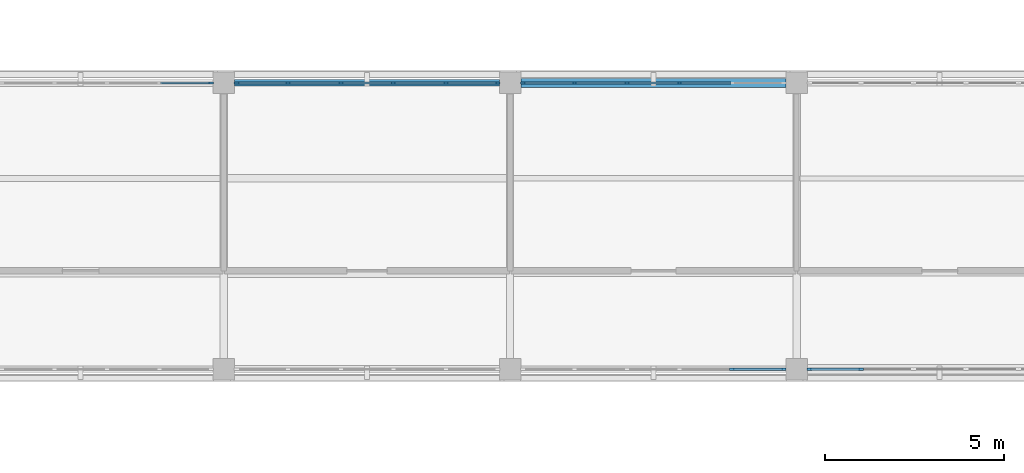
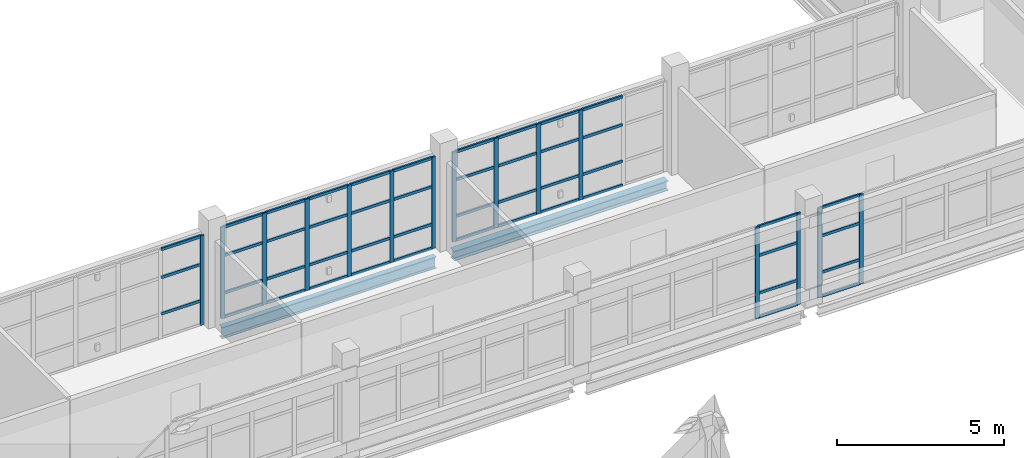
# One storey, part 20 of 126: 62 members, 2 beams, 5 elements without a shape of their own.
"""IFC4 building model written with IfcOpenShell, lengths in metres."""

from ifc_helpers import new_model, si_unit, derived_unit, direction, frame, origin, origin_2d, place, context, subcontext, project, spatial, rectangle, i_section, extrude, material, layer, layer_set, material_profile, profile_set, type_object, element, aggregate, save


model = new_model("IFC4")

# Units and contexts
model_context = context("Model", 3, precision=1e-05, world=origin(), true_north=direction((0.0, 1.0)))
body_context = subcontext(model_context, "Body", "Model", "MODEL_VIEW")
ifc_project = project(units=[si_unit("LENGTHUNIT", "METRE"), si_unit("AREAUNIT", "SQUARE_METRE"), si_unit("VOLUMEUNIT", "CUBIC_METRE"), si_unit("PLANEANGLEUNIT", "RADIAN"), si_unit("MASSUNIT", "GRAM", prefix="KILO"), derived_unit("THERMALTRANSMITTANCEUNIT", [(si_unit("MASSUNIT", "GRAM", prefix="KILO"), 1), (si_unit("TIMEUNIT", "SECOND"), -3), (si_unit("THERMODYNAMICTEMPERATUREUNIT", "KELVIN"), -1)])], contexts=[model_context])

# Site, building, storey
site_placement = place(None, origin())
site = spatial("IfcSite", under=ifc_project, at=site_placement, CompositionType="ELEMENT")
building_placement = place(site_placement, origin())
building = spatial("IfcBuilding", under=site, at=building_placement, Name="Veyamyaing Civic Hall", CompositionType="ELEMENT")
storey_placement = place(building_placement, frame((0.0, 0.0, 9.89990234375)))
storey = spatial("IfcBuildingStorey", under=building, at=storey_placement, Name="L02", CompositionType="ELEMENT", Elevation=9.89990234375)

# Beams
ifc_material_1 = material(Name="Steel ASTM A992", Category="steel")
ifc_material_profile_1 = material_profile(ifc_material_1, i_section(OverallWidth=0.180908203125, OverallDepth=0.4169921875, WebThickness=0.010986328125, FlangeThickness=0.018310546875, FilletRadius=0.010009765625, at=origin_2d()), Name="W410X85")
ifc_profile_set_1 = profile_set([ifc_material_profile_1], Name="Steel ASTM A992")
beam_type_1 = type_object("IfcBeamType", Name="B-19", PredefinedType="SPANDREL", material=ifc_profile_set_1)
beam_1_placement = place(storey_placement, frame((32.300048828125, 56.0, -0.493408203125), z_axis=(1.0, 0.0, 0.0), x_axis=(0.0, 1.0, 0.0)))
element("IfcBeam", 1, at=beam_1_placement, inside=storey, type_object=beam_type_1, Name="Girder B-19 L02 Grid H 5-6", PredefinedType="SPANDREL", context=body_context, shape_type="SweptSolid", body=[
    extrude(i_section(OverallWidth=0.180908203125, OverallDepth=0.4169921875, WebThickness=0.010986328125, FlangeThickness=0.018310546875, FilletRadius=0.010009765625, at=origin_2d()), origin(), (0.0, 0.0, 1.0), 7.39990234375),
])
ifc_material_profile_2 = material_profile(ifc_material_1, i_section(OverallWidth=0.25390625, OverallDepth=0.35302734375, WebThickness=0.009521484375, FlangeThickness=0.016357421875, FilletRadius=0.011962890625, at=origin_2d()), Name="W360X91")
ifc_profile_set_2 = profile_set([ifc_material_profile_2], Name="Steel ASTM A992")
beam_type_2 = type_object("IfcBeamType", Name="B-20", PredefinedType="SPANDREL", material=ifc_profile_set_2)
beam_2_placement = place(storey_placement, frame((40.300048828125, 56.0, -0.46142578125), z_axis=(1.0, 0.0, 0.0), x_axis=(0.0, 1.0, 0.0)))
element("IfcBeam", 2, at=beam_2_placement, inside=storey, type_object=beam_type_2, Name="Girder B-20 L02 Grid H 6-7", PredefinedType="SPANDREL", context=body_context, shape_type="SweptSolid", body=[
    extrude(i_section(OverallWidth=0.25390625, OverallDepth=0.35302734375, WebThickness=0.009521484375, FlangeThickness=0.016357421875, FilletRadius=0.011962890625, at=origin_2d()), origin(), (0.0, 0.0, 1.0), 7.39990234375),
])

# Curtain wall, member
ifc_material_2 = material(Name="Anodised aluminium 6063-T6", Category="aluminium")
ifc_layer = layer(ifc_material_2, 0.139892578125, Name="Anodised aluminium 6063-T6")
ifc_layer_set = layer_set([ifc_layer], Name="Anodised aluminium 6063-T6")
curtain_wall_type = type_object("IfcCurtainWallType", Name="CW-04", PredefinedType="NOTDEFINED", material=ifc_layer_set)
curtain_wall_1_placement = place(storey_placement, origin())
curtain_wall_1 = element("IfcCurtainWall", 3, at=curtain_wall_1_placement, inside=storey, type_object=curtain_wall_type, Name="Unitized curtain wall CW-04 L02 N 4.7", PredefinedType="NOTDEFINED")
ifc_material_profile_3 = material_profile(ifc_material_2, rectangle(XDim=0.06005859375, YDim=0.139892578125, at=origin_2d()), Name="ALU-MUL-60X140")
ifc_profile_set_3 = profile_set([ifc_material_profile_3], Name="Anodised aluminium 6063-T6")
member_type_1 = type_object("IfcMemberType", Name="CWM-03", PredefinedType="MULLION", material=ifc_profile_set_3)
member_1_placement = place(storey_placement, frame((31.639892578125, 56.0, 0.0), z_axis=(0.0, 0.0, 1.0), x_axis=(0.0, 1.0, 0.0)))
member_1 = element("IfcMember", 4, at=member_1_placement, type_object=member_type_1, Name="CW-04 mullion 6", PredefinedType="MULLION", context=body_context, shape_type="SweptSolid", body=[
    extrude(rectangle(XDim=0.06005859375, YDim=0.139892578125, at=origin_2d()), origin(), (0.0, 0.0, 1.0), 3.280029296875),
])

# Curtain wall, members
curtain_wall_2_placement = place(storey_placement, origin())
curtain_wall_2 = element("IfcCurtainWall", 5, at=curtain_wall_2_placement, inside=storey, type_object=curtain_wall_type, Name="Unitized curtain wall CW-04 L02 N 5.7", PredefinedType="NOTDEFINED")
member_2_placement = place(storey_placement, frame((32.360107421875, 56.0, 0.0), z_axis=(0.0, 0.0, 1.0), x_axis=(0.0, 1.0, 0.0)))
member_2 = element("IfcMember", 6, at=member_2_placement, type_object=member_type_1, Name="CW-04 mullion 1", PredefinedType="MULLION", context=body_context, shape_type="SweptSolid", body=[
    extrude(rectangle(XDim=0.06005859375, YDim=0.139892578125, at=origin_2d()), origin(), (0.0, 0.0, 1.0), 3.343994140625),
])
member_3_placement = place(storey_placement, frame((33.798095703125, 56.0, 0.0), z_axis=(0.0, 0.0, 1.0), x_axis=(0.0, 1.0, 0.0)))
member_3 = element("IfcMember", 7, at=member_3_placement, type_object=member_type_1, Name="CW-04 mullion 2", PredefinedType="MULLION", context=body_context, shape_type="SweptSolid", body=[
    extrude(rectangle(XDim=0.06005859375, YDim=0.139892578125, at=origin_2d()), origin(), (0.0, 0.0, 1.0), 3.343994140625),
])
member_4_placement = place(storey_placement, frame((35.26611328125, 56.0, 0.0), z_axis=(0.0, 0.0, 1.0), x_axis=(0.0, 1.0, 0.0)))
member_4 = element("IfcMember", 8, at=member_4_placement, type_object=member_type_1, Name="CW-04 mullion 3", PredefinedType="MULLION", context=body_context, shape_type="SweptSolid", body=[
    extrude(rectangle(XDim=0.06005859375, YDim=0.139892578125, at=origin_2d()), origin(), (0.0, 0.0, 1.0), 3.343994140625),
])
member_5_placement = place(storey_placement, frame((36.73388671875, 56.0, 0.0), z_axis=(0.0, 0.0, 1.0), x_axis=(0.0, 1.0, 0.0)))
member_5 = element("IfcMember", 9, at=member_5_placement, type_object=member_type_1, Name="CW-04 mullion 4", PredefinedType="MULLION", context=body_context, shape_type="SweptSolid", body=[
    extrude(rectangle(XDim=0.06005859375, YDim=0.139892578125, at=origin_2d()), origin(), (0.0, 0.0, 1.0), 3.343994140625),
])
member_6_placement = place(storey_placement, frame((38.201904296875, 56.0, 0.0), z_axis=(0.0, 0.0, 1.0), x_axis=(0.0, 1.0, 0.0)))
member_6 = element("IfcMember", 10, at=member_6_placement, type_object=member_type_1, Name="CW-04 mullion 5", PredefinedType="MULLION", context=body_context, shape_type="SweptSolid", body=[
    extrude(rectangle(XDim=0.06005859375, YDim=0.139892578125, at=origin_2d()), origin(), (0.0, 0.0, 1.0), 3.343994140625),
])
member_7_placement = place(storey_placement, frame((39.639892578125, 56.0, 0.0), z_axis=(0.0, 0.0, 1.0), x_axis=(0.0, 1.0, 0.0)))
member_7 = element("IfcMember", 11, at=member_7_placement, type_object=member_type_1, Name="CW-04 mullion 6", PredefinedType="MULLION", context=body_context, shape_type="SweptSolid", body=[
    extrude(rectangle(XDim=0.06005859375, YDim=0.139892578125, at=origin_2d()), origin(), (0.0, 0.0, 1.0), 3.343994140625),
])

curtain_wall_3_placement = place(storey_placement, origin())
curtain_wall_3 = element("IfcCurtainWall", 12, at=curtain_wall_3_placement, inside=storey, type_object=curtain_wall_type, Name="Unitized curtain wall CW-04 L02 S 6.7", PredefinedType="NOTDEFINED")
member_8_placement = place(storey_placement, frame((46.201904296875, 48.0, 0.0), z_axis=(0.0, 0.0, 1.0), x_axis=(0.0, 1.0, 0.0)))
member_8 = element("IfcMember", 13, at=member_8_placement, type_object=member_type_1, Name="CW-04 mullion 5", PredefinedType="MULLION", context=body_context, shape_type="SweptSolid", body=[
    extrude(rectangle(XDim=0.06005859375, YDim=0.139892578125, at=origin_2d()), origin(), (0.0, 0.0, 1.0), 3.343994140625),
])
member_9_placement = place(storey_placement, frame((47.639892578125, 48.0, 0.0), z_axis=(0.0, 0.0, 1.0), x_axis=(0.0, 1.0, 0.0)))
member_9 = element("IfcMember", 14, at=member_9_placement, type_object=member_type_1, Name="CW-04 mullion 6", PredefinedType="MULLION", context=body_context, shape_type="SweptSolid", body=[
    extrude(rectangle(XDim=0.06005859375, YDim=0.139892578125, at=origin_2d()), origin(), (0.0, 0.0, 1.0), 3.343994140625),
])

curtain_wall_4_placement = place(storey_placement, origin())
curtain_wall_4 = element("IfcCurtainWall", 15, at=curtain_wall_4_placement, inside=storey, type_object=curtain_wall_type, Name="Unitized curtain wall CW-04 L02 N 6.7", PredefinedType="NOTDEFINED")
member_10_placement = place(storey_placement, frame((40.360107421875, 56.0, 0.0), z_axis=(0.0, 0.0, 1.0), x_axis=(0.0, 1.0, 0.0)))
member_10 = element("IfcMember", 16, at=member_10_placement, type_object=member_type_1, Name="CW-04 mullion 1", PredefinedType="MULLION", context=body_context, shape_type="SweptSolid", body=[
    extrude(rectangle(XDim=0.06005859375, YDim=0.139892578125, at=origin_2d()), origin(), (0.0, 0.0, 1.0), 3.2841796875),
])
member_11_placement = place(storey_placement, frame((41.798095703125, 56.0, 0.0), z_axis=(0.0, 0.0, 1.0), x_axis=(0.0, 1.0, 0.0)))
member_11 = element("IfcMember", 17, at=member_11_placement, type_object=member_type_1, Name="CW-04 mullion 2", PredefinedType="MULLION", context=body_context, shape_type="SweptSolid", body=[
    extrude(rectangle(XDim=0.06005859375, YDim=0.139892578125, at=origin_2d()), origin(), (0.0, 0.0, 1.0), 3.2841796875),
])
member_12_placement = place(storey_placement, frame((43.26611328125, 56.0, 0.0), z_axis=(0.0, 0.0, 1.0), x_axis=(0.0, 1.0, 0.0)))
member_12 = element("IfcMember", 18, at=member_12_placement, type_object=member_type_1, Name="CW-04 mullion 3", PredefinedType="MULLION", context=body_context, shape_type="SweptSolid", body=[
    extrude(rectangle(XDim=0.06005859375, YDim=0.139892578125, at=origin_2d()), origin(), (0.0, 0.0, 1.0), 3.2841796875),
])
member_13_placement = place(storey_placement, frame((44.73388671875, 56.0, 0.0), z_axis=(0.0, 0.0, 1.0), x_axis=(0.0, 1.0, 0.0)))
member_13 = element("IfcMember", 19, at=member_13_placement, type_object=member_type_1, Name="CW-04 mullion 4", PredefinedType="MULLION", context=body_context, shape_type="SweptSolid", body=[
    extrude(rectangle(XDim=0.06005859375, YDim=0.139892578125, at=origin_2d()), origin(), (0.0, 0.0, 1.0), 3.2841796875),
])

curtain_wall_5_placement = place(storey_placement, origin())
curtain_wall_5 = element("IfcCurtainWall", 20, at=curtain_wall_5_placement, inside=storey, type_object=curtain_wall_type, Name="Unitized curtain wall CW-04 L02 S 7.7", PredefinedType="NOTDEFINED")
member_14_placement = place(storey_placement, frame((48.360107421875, 48.0, 0.0), z_axis=(0.0, 0.0, 1.0), x_axis=(0.0, 1.0, 0.0)))
member_14 = element("IfcMember", 21, at=member_14_placement, type_object=member_type_1, Name="CW-04 mullion 1", PredefinedType="MULLION", context=body_context, shape_type="SweptSolid", body=[
    extrude(rectangle(XDim=0.06005859375, YDim=0.139892578125, at=origin_2d()), origin(), (0.0, 0.0, 1.0), 3.2841796875),
])
member_15_placement = place(storey_placement, frame((49.798095703125, 48.0, 0.0), z_axis=(0.0, 0.0, 1.0), x_axis=(0.0, 1.0, 0.0)))
member_15 = element("IfcMember", 22, at=member_15_placement, type_object=member_type_1, Name="CW-04 mullion 2", PredefinedType="MULLION", context=body_context, shape_type="SweptSolid", body=[
    extrude(rectangle(XDim=0.06005859375, YDim=0.139892578125, at=origin_2d()), origin(), (0.0, 0.0, 1.0), 3.2841796875),
])

# Member
ifc_material_profile_4 = material_profile(ifc_material_2, rectangle(XDim=0.06005859375, YDim=0.10009765625, at=origin_2d()), Name="ALU-TRN-60X100")
ifc_profile_set_4 = profile_set([ifc_material_profile_4], Name="Anodised aluminium 6063-T6")
member_type_2 = type_object("IfcMemberType", Name="CWT-03", PredefinedType="USERDEFINED", material=ifc_profile_set_4)
member_16_placement = place(storey_placement, frame((30.23193359375, 56.0, 0.900146484375), z_axis=(1.0, 0.0, 0.0), x_axis=(0.0, 1.0, 0.0)))
member_16 = element("IfcMember", 23, at=member_16_placement, type_object=member_type_2, Name="CW-04 transom 5.2", ObjectType="TRANSOM", PredefinedType="USERDEFINED", context=body_context, shape_type="SweptSolid", body=[
    extrude(rectangle(XDim=0.06005859375, YDim=0.10009765625, at=origin_2d()), origin(), (0.0, 0.0, 1.0), 1.378173828125),
])

member_17_placement = place(storey_placement, frame((30.23193359375, 56.0, 2.23046875), z_axis=(1.0, 0.0, 0.0), x_axis=(0.0, 1.0, 0.0)))
member_17 = element("IfcMember", 24, at=member_17_placement, type_object=member_type_2, Name="CW-04 transom 5.3", ObjectType="TRANSOM", PredefinedType="USERDEFINED", context=body_context, shape_type="SweptSolid", body=[
    extrude(rectangle(XDim=0.06005859375, YDim=0.10009765625, at=origin_2d()), origin(), (0.0, 0.0, 1.0), 1.378173828125),
])

member_18_placement = place(storey_placement, frame((30.23193359375, 56.0, 3.25), z_axis=(1.0, 0.0, 0.0), x_axis=(0.0, 1.0, 0.0)))
member_18 = element("IfcMember", 25, at=member_18_placement, type_object=member_type_2, Name="CW-04 transom 5.4", ObjectType="TRANSOM", PredefinedType="USERDEFINED", context=body_context, shape_type="SweptSolid", body=[
    extrude(rectangle(XDim=0.06005859375, YDim=0.10009765625, at=origin_2d()), origin(), (0.0, 0.0, 1.0), 1.378173828125),
])

aggregate(curtain_wall_1, [member_1, member_16, member_17, member_18])

member_19_placement = place(storey_placement, frame((32.389892578125, 56.0, 0.030029296875), z_axis=(1.0, 0.0, 0.0), x_axis=(0.0, 1.0, 0.0)))
member_19 = element("IfcMember", 26, at=member_19_placement, type_object=member_type_2, Name="CW-04 transom 1.1", ObjectType="TRANSOM", PredefinedType="USERDEFINED", context=body_context, shape_type="SweptSolid", body=[
    extrude(rectangle(XDim=0.06005859375, YDim=0.10009765625, at=origin_2d()), origin(), (0.0, 0.0, 1.0), 1.378173828125),
])

member_20_placement = place(storey_placement, frame((32.389892578125, 56.0, 0.900146484375), z_axis=(1.0, 0.0, 0.0), x_axis=(0.0, 1.0, 0.0)))
member_20 = element("IfcMember", 27, at=member_20_placement, type_object=member_type_2, Name="CW-04 transom 1.2", ObjectType="TRANSOM", PredefinedType="USERDEFINED", context=body_context, shape_type="SweptSolid", body=[
    extrude(rectangle(XDim=0.06005859375, YDim=0.10009765625, at=origin_2d()), origin(), (0.0, 0.0, 1.0), 1.378173828125),
])

member_21_placement = place(storey_placement, frame((32.389892578125, 56.0, 2.27392578125), z_axis=(1.0, 0.0, 0.0), x_axis=(0.0, 1.0, 0.0)))
member_21 = element("IfcMember", 28, at=member_21_placement, type_object=member_type_2, Name="CW-04 transom 1.3", ObjectType="TRANSOM", PredefinedType="USERDEFINED", context=body_context, shape_type="SweptSolid", body=[
    extrude(rectangle(XDim=0.06005859375, YDim=0.10009765625, at=origin_2d()), origin(), (0.0, 0.0, 1.0), 1.378173828125),
])

member_22_placement = place(storey_placement, frame((32.389892578125, 56.0, 3.314208984375), z_axis=(1.0, 0.0, 0.0), x_axis=(0.0, 1.0, 0.0)))
member_22 = element("IfcMember", 29, at=member_22_placement, type_object=member_type_2, Name="CW-04 transom 1.4", ObjectType="TRANSOM", PredefinedType="USERDEFINED", context=body_context, shape_type="SweptSolid", body=[
    extrude(rectangle(XDim=0.06005859375, YDim=0.10009765625, at=origin_2d()), origin(), (0.0, 0.0, 1.0), 1.378173828125),
])

member_23_placement = place(storey_placement, frame((33.827880859375, 56.0, 0.030029296875), z_axis=(1.0, 0.0, 0.0), x_axis=(0.0, 1.0, 0.0)))
member_23 = element("IfcMember", 30, at=member_23_placement, type_object=member_type_2, Name="CW-04 transom 2.1", ObjectType="TRANSOM", PredefinedType="USERDEFINED", context=body_context, shape_type="SweptSolid", body=[
    extrude(rectangle(XDim=0.06005859375, YDim=0.10009765625, at=origin_2d()), origin(), (0.0, 0.0, 1.0), 1.408203125),
])

member_24_placement = place(storey_placement, frame((33.827880859375, 56.0, 0.900146484375), z_axis=(1.0, 0.0, 0.0), x_axis=(0.0, 1.0, 0.0)))
member_24 = element("IfcMember", 31, at=member_24_placement, type_object=member_type_2, Name="CW-04 transom 2.2", ObjectType="TRANSOM", PredefinedType="USERDEFINED", context=body_context, shape_type="SweptSolid", body=[
    extrude(rectangle(XDim=0.06005859375, YDim=0.10009765625, at=origin_2d()), origin(), (0.0, 0.0, 1.0), 1.408203125),
])

member_25_placement = place(storey_placement, frame((33.827880859375, 56.0, 2.27392578125), z_axis=(1.0, 0.0, 0.0), x_axis=(0.0, 1.0, 0.0)))
member_25 = element("IfcMember", 32, at=member_25_placement, type_object=member_type_2, Name="CW-04 transom 2.3", ObjectType="TRANSOM", PredefinedType="USERDEFINED", context=body_context, shape_type="SweptSolid", body=[
    extrude(rectangle(XDim=0.06005859375, YDim=0.10009765625, at=origin_2d()), origin(), (0.0, 0.0, 1.0), 1.408203125),
])

member_26_placement = place(storey_placement, frame((33.827880859375, 56.0, 3.314208984375), z_axis=(1.0, 0.0, 0.0), x_axis=(0.0, 1.0, 0.0)))
member_26 = element("IfcMember", 33, at=member_26_placement, type_object=member_type_2, Name="CW-04 transom 2.4", ObjectType="TRANSOM", PredefinedType="USERDEFINED", context=body_context, shape_type="SweptSolid", body=[
    extrude(rectangle(XDim=0.06005859375, YDim=0.10009765625, at=origin_2d()), origin(), (0.0, 0.0, 1.0), 1.408203125),
])

member_27_placement = place(storey_placement, frame((35.2958984375, 56.0, 0.030029296875), z_axis=(1.0, 0.0, 0.0), x_axis=(0.0, 1.0, 0.0)))
member_27 = element("IfcMember", 34, at=member_27_placement, type_object=member_type_2, Name="CW-04 transom 3.1", ObjectType="TRANSOM", PredefinedType="USERDEFINED", context=body_context, shape_type="SweptSolid", body=[
    extrude(rectangle(XDim=0.06005859375, YDim=0.10009765625, at=origin_2d()), origin(), (0.0, 0.0, 1.0), 1.408203125),
])

member_28_placement = place(storey_placement, frame((35.2958984375, 56.0, 0.900146484375), z_axis=(1.0, 0.0, 0.0), x_axis=(0.0, 1.0, 0.0)))
member_28 = element("IfcMember", 35, at=member_28_placement, type_object=member_type_2, Name="CW-04 transom 3.2", ObjectType="TRANSOM", PredefinedType="USERDEFINED", context=body_context, shape_type="SweptSolid", body=[
    extrude(rectangle(XDim=0.06005859375, YDim=0.10009765625, at=origin_2d()), origin(), (0.0, 0.0, 1.0), 1.408203125),
])

member_29_placement = place(storey_placement, frame((35.2958984375, 56.0, 2.27392578125), z_axis=(1.0, 0.0, 0.0), x_axis=(0.0, 1.0, 0.0)))
member_29 = element("IfcMember", 36, at=member_29_placement, type_object=member_type_2, Name="CW-04 transom 3.3", ObjectType="TRANSOM", PredefinedType="USERDEFINED", context=body_context, shape_type="SweptSolid", body=[
    extrude(rectangle(XDim=0.06005859375, YDim=0.10009765625, at=origin_2d()), origin(), (0.0, 0.0, 1.0), 1.408203125),
])

member_30_placement = place(storey_placement, frame((35.2958984375, 56.0, 3.314208984375), z_axis=(1.0, 0.0, 0.0), x_axis=(0.0, 1.0, 0.0)))
member_30 = element("IfcMember", 37, at=member_30_placement, type_object=member_type_2, Name="CW-04 transom 3.4", ObjectType="TRANSOM", PredefinedType="USERDEFINED", context=body_context, shape_type="SweptSolid", body=[
    extrude(rectangle(XDim=0.06005859375, YDim=0.10009765625, at=origin_2d()), origin(), (0.0, 0.0, 1.0), 1.408203125),
])

member_31_placement = place(storey_placement, frame((36.763916015625, 56.0, 0.030029296875), z_axis=(1.0, 0.0, 0.0), x_axis=(0.0, 1.0, 0.0)))
member_31 = element("IfcMember", 38, at=member_31_placement, type_object=member_type_2, Name="CW-04 transom 4.1", ObjectType="TRANSOM", PredefinedType="USERDEFINED", context=body_context, shape_type="SweptSolid", body=[
    extrude(rectangle(XDim=0.06005859375, YDim=0.10009765625, at=origin_2d()), origin(), (0.0, 0.0, 1.0), 1.408203125),
])

member_32_placement = place(storey_placement, frame((36.763916015625, 56.0, 0.900146484375), z_axis=(1.0, 0.0, 0.0), x_axis=(0.0, 1.0, 0.0)))
member_32 = element("IfcMember", 39, at=member_32_placement, type_object=member_type_2, Name="CW-04 transom 4.2", ObjectType="TRANSOM", PredefinedType="USERDEFINED", context=body_context, shape_type="SweptSolid", body=[
    extrude(rectangle(XDim=0.06005859375, YDim=0.10009765625, at=origin_2d()), origin(), (0.0, 0.0, 1.0), 1.408203125),
])

member_33_placement = place(storey_placement, frame((36.763916015625, 56.0, 2.27392578125), z_axis=(1.0, 0.0, 0.0), x_axis=(0.0, 1.0, 0.0)))
member_33 = element("IfcMember", 40, at=member_33_placement, type_object=member_type_2, Name="CW-04 transom 4.3", ObjectType="TRANSOM", PredefinedType="USERDEFINED", context=body_context, shape_type="SweptSolid", body=[
    extrude(rectangle(XDim=0.06005859375, YDim=0.10009765625, at=origin_2d()), origin(), (0.0, 0.0, 1.0), 1.408203125),
])

member_34_placement = place(storey_placement, frame((36.763916015625, 56.0, 3.314208984375), z_axis=(1.0, 0.0, 0.0), x_axis=(0.0, 1.0, 0.0)))
member_34 = element("IfcMember", 41, at=member_34_placement, type_object=member_type_2, Name="CW-04 transom 4.4", ObjectType="TRANSOM", PredefinedType="USERDEFINED", context=body_context, shape_type="SweptSolid", body=[
    extrude(rectangle(XDim=0.06005859375, YDim=0.10009765625, at=origin_2d()), origin(), (0.0, 0.0, 1.0), 1.408203125),
])

member_35_placement = place(storey_placement, frame((38.23193359375, 56.0, 0.030029296875), z_axis=(1.0, 0.0, 0.0), x_axis=(0.0, 1.0, 0.0)))
member_35 = element("IfcMember", 42, at=member_35_placement, type_object=member_type_2, Name="CW-04 transom 5.1", ObjectType="TRANSOM", PredefinedType="USERDEFINED", context=body_context, shape_type="SweptSolid", body=[
    extrude(rectangle(XDim=0.06005859375, YDim=0.10009765625, at=origin_2d()), origin(), (0.0, 0.0, 1.0), 1.378173828125),
])

member_36_placement = place(storey_placement, frame((38.23193359375, 56.0, 0.900146484375), z_axis=(1.0, 0.0, 0.0), x_axis=(0.0, 1.0, 0.0)))
member_36 = element("IfcMember", 43, at=member_36_placement, type_object=member_type_2, Name="CW-04 transom 5.2", ObjectType="TRANSOM", PredefinedType="USERDEFINED", context=body_context, shape_type="SweptSolid", body=[
    extrude(rectangle(XDim=0.06005859375, YDim=0.10009765625, at=origin_2d()), origin(), (0.0, 0.0, 1.0), 1.378173828125),
])

member_37_placement = place(storey_placement, frame((38.23193359375, 56.0, 2.27392578125), z_axis=(1.0, 0.0, 0.0), x_axis=(0.0, 1.0, 0.0)))
member_37 = element("IfcMember", 44, at=member_37_placement, type_object=member_type_2, Name="CW-04 transom 5.3", ObjectType="TRANSOM", PredefinedType="USERDEFINED", context=body_context, shape_type="SweptSolid", body=[
    extrude(rectangle(XDim=0.06005859375, YDim=0.10009765625, at=origin_2d()), origin(), (0.0, 0.0, 1.0), 1.378173828125),
])

member_38_placement = place(storey_placement, frame((38.23193359375, 56.0, 3.314208984375), z_axis=(1.0, 0.0, 0.0), x_axis=(0.0, 1.0, 0.0)))
member_38 = element("IfcMember", 45, at=member_38_placement, type_object=member_type_2, Name="CW-04 transom 5.4", ObjectType="TRANSOM", PredefinedType="USERDEFINED", context=body_context, shape_type="SweptSolid", body=[
    extrude(rectangle(XDim=0.06005859375, YDim=0.10009765625, at=origin_2d()), origin(), (0.0, 0.0, 1.0), 1.378173828125),
])

aggregate(curtain_wall_2, [member_2, member_3, member_4, member_5, member_6, member_7, member_19, member_20, member_21, member_22, member_23, member_24, member_25, member_26, member_27, member_28, member_29, member_30, member_31, member_32, member_33, member_34, member_35, member_36, member_37, member_38])

member_39_placement = place(storey_placement, frame((46.23193359375, 48.0, 0.030029296875), z_axis=(1.0, 0.0, 0.0), x_axis=(0.0, 1.0, 0.0)))
member_39 = element("IfcMember", 46, at=member_39_placement, type_object=member_type_2, Name="CW-04 transom 5.1", ObjectType="TRANSOM", PredefinedType="USERDEFINED", context=body_context, shape_type="SweptSolid", body=[
    extrude(rectangle(XDim=0.06005859375, YDim=0.10009765625, at=origin_2d()), origin(), (0.0, 0.0, 1.0), 1.378173828125),
])

member_40_placement = place(storey_placement, frame((46.23193359375, 48.0, 0.900146484375), z_axis=(1.0, 0.0, 0.0), x_axis=(0.0, 1.0, 0.0)))
member_40 = element("IfcMember", 47, at=member_40_placement, type_object=member_type_2, Name="CW-04 transom 5.2", ObjectType="TRANSOM", PredefinedType="USERDEFINED", context=body_context, shape_type="SweptSolid", body=[
    extrude(rectangle(XDim=0.06005859375, YDim=0.10009765625, at=origin_2d()), origin(), (0.0, 0.0, 1.0), 1.378173828125),
])

member_41_placement = place(storey_placement, frame((46.23193359375, 48.0, 2.27392578125), z_axis=(1.0, 0.0, 0.0), x_axis=(0.0, 1.0, 0.0)))
member_41 = element("IfcMember", 48, at=member_41_placement, type_object=member_type_2, Name="CW-04 transom 5.3", ObjectType="TRANSOM", PredefinedType="USERDEFINED", context=body_context, shape_type="SweptSolid", body=[
    extrude(rectangle(XDim=0.06005859375, YDim=0.10009765625, at=origin_2d()), origin(), (0.0, 0.0, 1.0), 1.378173828125),
])

member_42_placement = place(storey_placement, frame((46.23193359375, 48.0, 3.314208984375), z_axis=(1.0, 0.0, 0.0), x_axis=(0.0, 1.0, 0.0)))
member_42 = element("IfcMember", 49, at=member_42_placement, type_object=member_type_2, Name="CW-04 transom 5.4", ObjectType="TRANSOM", PredefinedType="USERDEFINED", context=body_context, shape_type="SweptSolid", body=[
    extrude(rectangle(XDim=0.06005859375, YDim=0.10009765625, at=origin_2d()), origin(), (0.0, 0.0, 1.0), 1.378173828125),
])

aggregate(curtain_wall_3, [member_8, member_9, member_39, member_40, member_41, member_42])

member_43_placement = place(storey_placement, frame((40.389892578125, 56.0, 0.030029296875), z_axis=(1.0, 0.0, 0.0), x_axis=(0.0, 1.0, 0.0)))
member_43 = element("IfcMember", 50, at=member_43_placement, type_object=member_type_2, Name="CW-04 transom 1.1", ObjectType="TRANSOM", PredefinedType="USERDEFINED", context=body_context, shape_type="SweptSolid", body=[
    extrude(rectangle(XDim=0.06005859375, YDim=0.10009765625, at=origin_2d()), origin(), (0.0, 0.0, 1.0), 1.378173828125),
])

member_44_placement = place(storey_placement, frame((40.389892578125, 56.0, 0.900146484375), z_axis=(1.0, 0.0, 0.0), x_axis=(0.0, 1.0, 0.0)))
member_44 = element("IfcMember", 51, at=member_44_placement, type_object=member_type_2, Name="CW-04 transom 1.2", ObjectType="TRANSOM", PredefinedType="USERDEFINED", context=body_context, shape_type="SweptSolid", body=[
    extrude(rectangle(XDim=0.06005859375, YDim=0.10009765625, at=origin_2d()), origin(), (0.0, 0.0, 1.0), 1.378173828125),
])

member_45_placement = place(storey_placement, frame((40.389892578125, 56.0, 2.233154296875), z_axis=(1.0, 0.0, 0.0), x_axis=(0.0, 1.0, 0.0)))
member_45 = element("IfcMember", 52, at=member_45_placement, type_object=member_type_2, Name="CW-04 transom 1.3", ObjectType="TRANSOM", PredefinedType="USERDEFINED", context=body_context, shape_type="SweptSolid", body=[
    extrude(rectangle(XDim=0.06005859375, YDim=0.10009765625, at=origin_2d()), origin(), (0.0, 0.0, 1.0), 1.378173828125),
])

member_46_placement = place(storey_placement, frame((40.389892578125, 56.0, 3.254150390625), z_axis=(1.0, 0.0, 0.0), x_axis=(0.0, 1.0, 0.0)))
member_46 = element("IfcMember", 53, at=member_46_placement, type_object=member_type_2, Name="CW-04 transom 1.4", ObjectType="TRANSOM", PredefinedType="USERDEFINED", context=body_context, shape_type="SweptSolid", body=[
    extrude(rectangle(XDim=0.06005859375, YDim=0.10009765625, at=origin_2d()), origin(), (0.0, 0.0, 1.0), 1.378173828125),
])

member_47_placement = place(storey_placement, frame((41.827880859375, 56.0, 0.030029296875), z_axis=(1.0, 0.0, 0.0), x_axis=(0.0, 1.0, 0.0)))
member_47 = element("IfcMember", 54, at=member_47_placement, type_object=member_type_2, Name="CW-04 transom 2.1", ObjectType="TRANSOM", PredefinedType="USERDEFINED", context=body_context, shape_type="SweptSolid", body=[
    extrude(rectangle(XDim=0.06005859375, YDim=0.10009765625, at=origin_2d()), origin(), (0.0, 0.0, 1.0), 1.408203125),
])

member_48_placement = place(storey_placement, frame((41.827880859375, 56.0, 0.900146484375), z_axis=(1.0, 0.0, 0.0), x_axis=(0.0, 1.0, 0.0)))
member_48 = element("IfcMember", 55, at=member_48_placement, type_object=member_type_2, Name="CW-04 transom 2.2", ObjectType="TRANSOM", PredefinedType="USERDEFINED", context=body_context, shape_type="SweptSolid", body=[
    extrude(rectangle(XDim=0.06005859375, YDim=0.10009765625, at=origin_2d()), origin(), (0.0, 0.0, 1.0), 1.408203125),
])

member_49_placement = place(storey_placement, frame((41.827880859375, 56.0, 2.233154296875), z_axis=(1.0, 0.0, 0.0), x_axis=(0.0, 1.0, 0.0)))
member_49 = element("IfcMember", 56, at=member_49_placement, type_object=member_type_2, Name="CW-04 transom 2.3", ObjectType="TRANSOM", PredefinedType="USERDEFINED", context=body_context, shape_type="SweptSolid", body=[
    extrude(rectangle(XDim=0.06005859375, YDim=0.10009765625, at=origin_2d()), origin(), (0.0, 0.0, 1.0), 1.408203125),
])

member_50_placement = place(storey_placement, frame((41.827880859375, 56.0, 3.254150390625), z_axis=(1.0, 0.0, 0.0), x_axis=(0.0, 1.0, 0.0)))
member_50 = element("IfcMember", 57, at=member_50_placement, type_object=member_type_2, Name="CW-04 transom 2.4", ObjectType="TRANSOM", PredefinedType="USERDEFINED", context=body_context, shape_type="SweptSolid", body=[
    extrude(rectangle(XDim=0.06005859375, YDim=0.10009765625, at=origin_2d()), origin(), (0.0, 0.0, 1.0), 1.408203125),
])

member_51_placement = place(storey_placement, frame((43.2958984375, 56.0, 0.030029296875), z_axis=(1.0, 0.0, 0.0), x_axis=(0.0, 1.0, 0.0)))
member_51 = element("IfcMember", 58, at=member_51_placement, type_object=member_type_2, Name="CW-04 transom 3.1", ObjectType="TRANSOM", PredefinedType="USERDEFINED", context=body_context, shape_type="SweptSolid", body=[
    extrude(rectangle(XDim=0.06005859375, YDim=0.10009765625, at=origin_2d()), origin(), (0.0, 0.0, 1.0), 1.408203125),
])

member_52_placement = place(storey_placement, frame((43.2958984375, 56.0, 0.900146484375), z_axis=(1.0, 0.0, 0.0), x_axis=(0.0, 1.0, 0.0)))
member_52 = element("IfcMember", 59, at=member_52_placement, type_object=member_type_2, Name="CW-04 transom 3.2", ObjectType="TRANSOM", PredefinedType="USERDEFINED", context=body_context, shape_type="SweptSolid", body=[
    extrude(rectangle(XDim=0.06005859375, YDim=0.10009765625, at=origin_2d()), origin(), (0.0, 0.0, 1.0), 1.408203125),
])

member_53_placement = place(storey_placement, frame((43.2958984375, 56.0, 2.233154296875), z_axis=(1.0, 0.0, 0.0), x_axis=(0.0, 1.0, 0.0)))
member_53 = element("IfcMember", 60, at=member_53_placement, type_object=member_type_2, Name="CW-04 transom 3.3", ObjectType="TRANSOM", PredefinedType="USERDEFINED", context=body_context, shape_type="SweptSolid", body=[
    extrude(rectangle(XDim=0.06005859375, YDim=0.10009765625, at=origin_2d()), origin(), (0.0, 0.0, 1.0), 1.408203125),
])

member_54_placement = place(storey_placement, frame((43.2958984375, 56.0, 3.254150390625), z_axis=(1.0, 0.0, 0.0), x_axis=(0.0, 1.0, 0.0)))
member_54 = element("IfcMember", 61, at=member_54_placement, type_object=member_type_2, Name="CW-04 transom 3.4", ObjectType="TRANSOM", PredefinedType="USERDEFINED", context=body_context, shape_type="SweptSolid", body=[
    extrude(rectangle(XDim=0.06005859375, YDim=0.10009765625, at=origin_2d()), origin(), (0.0, 0.0, 1.0), 1.408203125),
])

member_55_placement = place(storey_placement, frame((44.763916015625, 56.0, 0.030029296875), z_axis=(1.0, 0.0, 0.0), x_axis=(0.0, 1.0, 0.0)))
member_55 = element("IfcMember", 62, at=member_55_placement, type_object=member_type_2, Name="CW-04 transom 4.1", ObjectType="TRANSOM", PredefinedType="USERDEFINED", context=body_context, shape_type="SweptSolid", body=[
    extrude(rectangle(XDim=0.06005859375, YDim=0.10009765625, at=origin_2d()), origin(), (0.0, 0.0, 1.0), 1.408203125),
])

member_56_placement = place(storey_placement, frame((44.763916015625, 56.0, 0.900146484375), z_axis=(1.0, 0.0, 0.0), x_axis=(0.0, 1.0, 0.0)))
member_56 = element("IfcMember", 63, at=member_56_placement, type_object=member_type_2, Name="CW-04 transom 4.2", ObjectType="TRANSOM", PredefinedType="USERDEFINED", context=body_context, shape_type="SweptSolid", body=[
    extrude(rectangle(XDim=0.06005859375, YDim=0.10009765625, at=origin_2d()), origin(), (0.0, 0.0, 1.0), 1.408203125),
])

member_57_placement = place(storey_placement, frame((44.763916015625, 56.0, 2.233154296875), z_axis=(1.0, 0.0, 0.0), x_axis=(0.0, 1.0, 0.0)))
member_57 = element("IfcMember", 64, at=member_57_placement, type_object=member_type_2, Name="CW-04 transom 4.3", ObjectType="TRANSOM", PredefinedType="USERDEFINED", context=body_context, shape_type="SweptSolid", body=[
    extrude(rectangle(XDim=0.06005859375, YDim=0.10009765625, at=origin_2d()), origin(), (0.0, 0.0, 1.0), 1.408203125),
])

member_58_placement = place(storey_placement, frame((44.763916015625, 56.0, 3.254150390625), z_axis=(1.0, 0.0, 0.0), x_axis=(0.0, 1.0, 0.0)))
member_58 = element("IfcMember", 65, at=member_58_placement, type_object=member_type_2, Name="CW-04 transom 4.4", ObjectType="TRANSOM", PredefinedType="USERDEFINED", context=body_context, shape_type="SweptSolid", body=[
    extrude(rectangle(XDim=0.06005859375, YDim=0.10009765625, at=origin_2d()), origin(), (0.0, 0.0, 1.0), 1.408203125),
])

aggregate(curtain_wall_4, [member_10, member_11, member_12, member_13, member_43, member_44, member_45, member_46, member_47, member_48, member_49, member_50, member_51, member_52, member_53, member_54, member_55, member_56, member_57, member_58])

member_59_placement = place(storey_placement, frame((48.389892578125, 48.0, 0.030029296875), z_axis=(1.0, 0.0, 0.0), x_axis=(0.0, 1.0, 0.0)))
member_59 = element("IfcMember", 66, at=member_59_placement, type_object=member_type_2, Name="CW-04 transom 1.1", ObjectType="TRANSOM", PredefinedType="USERDEFINED", context=body_context, shape_type="SweptSolid", body=[
    extrude(rectangle(XDim=0.06005859375, YDim=0.10009765625, at=origin_2d()), origin(), (0.0, 0.0, 1.0), 1.378173828125),
])

member_60_placement = place(storey_placement, frame((48.389892578125, 48.0, 0.900146484375), z_axis=(1.0, 0.0, 0.0), x_axis=(0.0, 1.0, 0.0)))
member_60 = element("IfcMember", 67, at=member_60_placement, type_object=member_type_2, Name="CW-04 transom 1.2", ObjectType="TRANSOM", PredefinedType="USERDEFINED", context=body_context, shape_type="SweptSolid", body=[
    extrude(rectangle(XDim=0.06005859375, YDim=0.10009765625, at=origin_2d()), origin(), (0.0, 0.0, 1.0), 1.378173828125),
])

member_61_placement = place(storey_placement, frame((48.389892578125, 48.0, 2.233154296875), z_axis=(1.0, 0.0, 0.0), x_axis=(0.0, 1.0, 0.0)))
member_61 = element("IfcMember", 68, at=member_61_placement, type_object=member_type_2, Name="CW-04 transom 1.3", ObjectType="TRANSOM", PredefinedType="USERDEFINED", context=body_context, shape_type="SweptSolid", body=[
    extrude(rectangle(XDim=0.06005859375, YDim=0.10009765625, at=origin_2d()), origin(), (0.0, 0.0, 1.0), 1.378173828125),
])

member_62_placement = place(storey_placement, frame((48.389892578125, 48.0, 3.254150390625), z_axis=(1.0, 0.0, 0.0), x_axis=(0.0, 1.0, 0.0)))
member_62 = element("IfcMember", 69, at=member_62_placement, type_object=member_type_2, Name="CW-04 transom 1.4", ObjectType="TRANSOM", PredefinedType="USERDEFINED", context=body_context, shape_type="SweptSolid", body=[
    extrude(rectangle(XDim=0.06005859375, YDim=0.10009765625, at=origin_2d()), origin(), (0.0, 0.0, 1.0), 1.378173828125),
])

aggregate(curtain_wall_5, [member_14, member_15, member_59, member_60, member_61, member_62])

save(model, "model.ifc")
